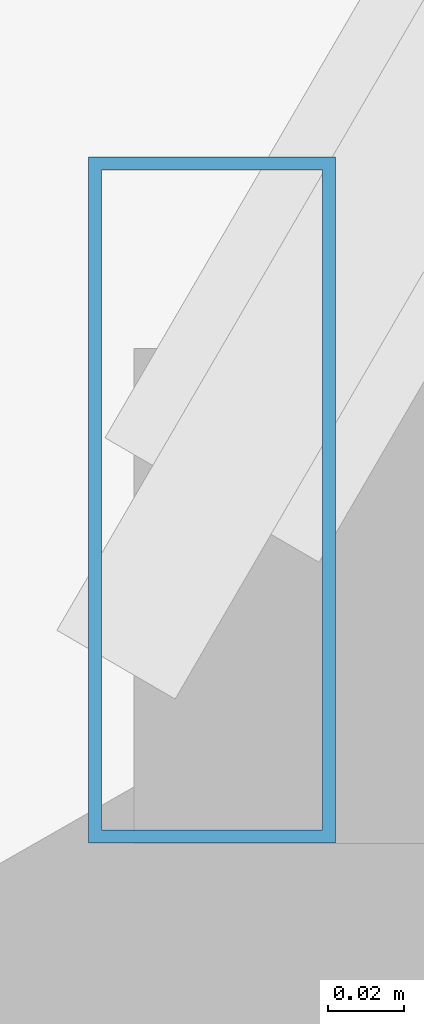
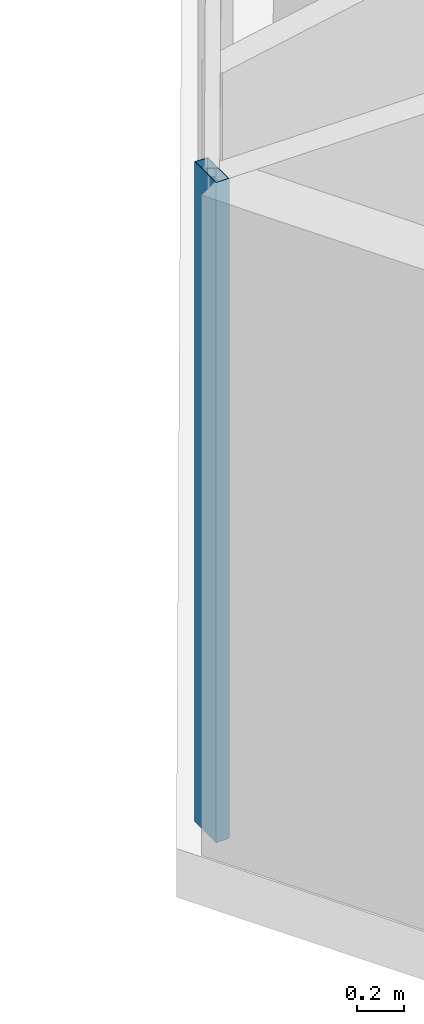
# One storey, part 6 of 38: 1 member, 1 element without a shape of its own.
"""IFC4 building model written with IfcOpenShell, lengths in metres."""

from ifc_helpers import new_model, si_unit, direction, frame, origin, origin_2d, place, context, subcontext, project, spatial, hollow_rectangle, extrude, source, transform, mapped, material, material_profile, profile_set, type_object, type_shapes, element, aggregate, save


model = new_model("IFC4")

# Units and contexts
model_context = context("Model", 3, precision=1e-05, world=origin(), true_north=direction((0.0, 1.0)))
body_context = subcontext(model_context, "Body", "Model", "MODEL_VIEW")
ifc_project = project(units=[si_unit("LENGTHUNIT", "METRE"), si_unit("AREAUNIT", "SQUARE_METRE"), si_unit("VOLUMEUNIT", "CUBIC_METRE"), si_unit("PLANEANGLEUNIT", "RADIAN"), si_unit("MASSUNIT", "GRAM", prefix="KILO")], contexts=[model_context])

# Site, building, storey
site_placement = place(None, origin())
site = spatial("IfcSite", under=ifc_project, at=site_placement, CompositionType="ELEMENT")
building_placement = place(site_placement, origin())
building = spatial("IfcBuilding", under=site, at=building_placement, Name="Caelisora Broadcast Tower", CompositionType="ELEMENT")
storey_placement = place(building_placement, frame((0.0, 0.0, 67.75)))
storey = spatial("IfcBuildingStorey", under=building, at=storey_placement, Name="L17", CompositionType="ELEMENT", Elevation=67.75)

# Curtain wall, member
ifc_material_1 = material(Name="Unitised Aluminium and Low-E Glass Curtain Wall", Category="glass")
curtain_wall_type = type_object("IfcCurtainWallType", Name="CW-Z1", PredefinedType="NOTDEFINED", material=ifc_material_1)
curtain_wall_placement = place(storey_placement, origin())
curtain_wall = element("IfcCurtainWall", 1, at=curtain_wall_placement, inside=storey, type_object=curtain_wall_type, Name="L17 curtain wall CW-Z1", PredefinedType="NOTDEFINED")
ifc_material_2 = material(Name="Aluminium 6063-T6 Anodised Terracotta Bronze", Category="aluminium")
ifc_material_profile = material_profile(ifc_material_2, hollow_rectangle(XDim=0.06494140625, YDim=0.179931640625, WallThickness=0.00341796875, at=origin_2d()), Name="Aluminium 6063-T6 Anodised Terracotta Bronze")
ifc_profile_set = profile_set([ifc_material_profile], Name="Aluminium 6063-T6 Anodised Terracotta Bronze")
member_type = type_object("IfcMemberType", Name="CWM-02", PredefinedType="MULLION", material=ifc_profile_set)
shared_shape = source(origin(), body_context, "Body", "SweptSolid", [
    extrude(hollow_rectangle(XDim=0.06494140625, YDim=0.179931640625, WallThickness=0.00341796875, at=origin_2d()), origin(), (0.0, 0.0, 1.0), 3.39990234375),
])
type_shapes(member_type, [shared_shape])
member_placement = place(storey_placement, frame((11.51220703125, 17.125244140625, 0.0), z_axis=(0.0, 0.0, 1.0), x_axis=(1.0, 0.0, 0.0)))
member = element("IfcMember", 2, at=member_placement, type_object=member_type, Name="L17-CW-B09 mullion #0", PredefinedType="MULLION", context=body_context, shape_type="MappedRepresentation", body=[
    mapped(shared_shape, transform((0.0, 0.0, 0.0), scale=1.0)),
])
aggregate(curtain_wall, [member])

save(model, "model.ifc")
